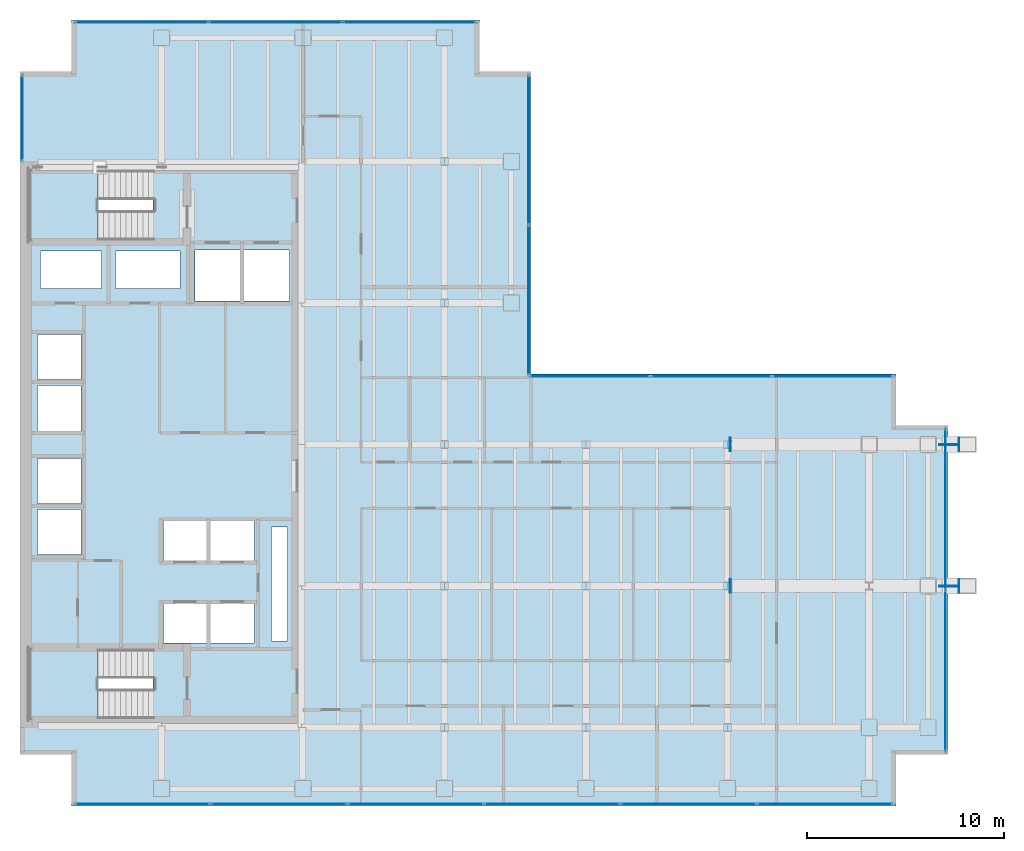
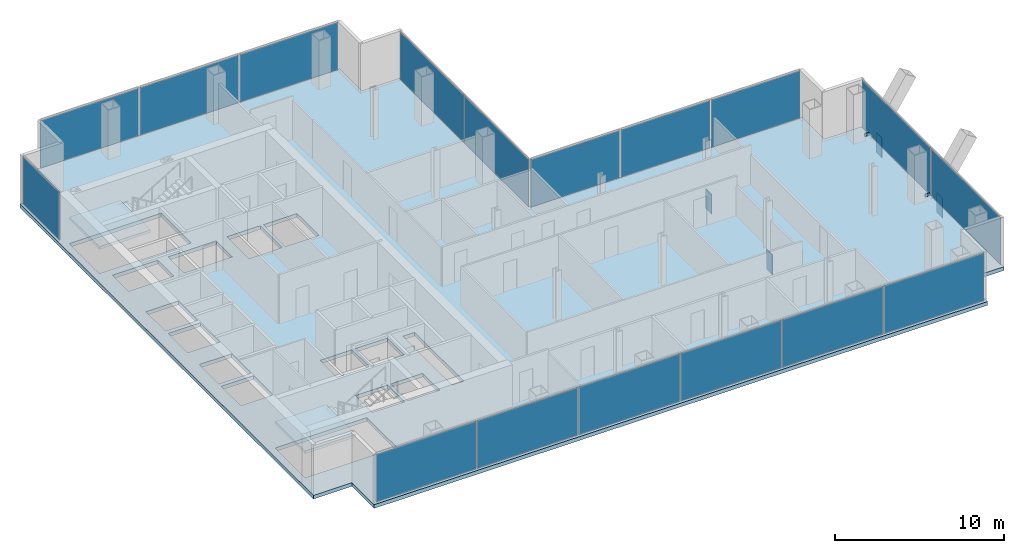
# One storey, part 19 of 23: 23 plates, 3 slabs, 15 openings, 8 elements without a shape of their own.
"""IFC4 building model written with IfcOpenShell, lengths in metres."""

from ifc_helpers import new_model, si_unit, direction, frame, origin, origin_2d, place, context, subcontext, project, spatial, polyline, rectangle, outline, extrude, material, layer, layer_set, type_object, element, aggregate, save


model = new_model("IFC4")

# Units and contexts
model_context = context("Model", 3, precision=1e-05, world=origin(), true_north=direction((0.0, 1.0)))
body_context = subcontext(model_context, "Body", "Model", "MODEL_VIEW")
ifc_project = project(units=[si_unit("LENGTHUNIT", "METRE"), si_unit("AREAUNIT", "SQUARE_METRE"), si_unit("VOLUMEUNIT", "CUBIC_METRE"), si_unit("PLANEANGLEUNIT", "RADIAN"), si_unit("MASSUNIT", "GRAM", prefix="KILO")], contexts=[model_context])

# Site, building, storey
site_placement = place(None, origin())
site = spatial("IfcSite", under=ifc_project, at=site_placement, CompositionType="ELEMENT")
building_placement = place(site_placement, origin())
building = spatial("IfcBuilding", under=site, at=building_placement, Name="Cobrela Telecom Tower", CompositionType="ELEMENT")
storey_placement = place(building_placement, frame((0.0, 0.0, 156.10009765625)))
storey = spatial("IfcBuildingStorey", under=building, at=storey_placement, Name="L39", CompositionType="ELEMENT", Elevation=156.10009765625)

# Curtain wall, plate
ifc_material_1 = material(Name="Anodized Bronze Aluminium 6063-T6", Category="aluminium")
curtain_wall_type = type_object("IfcCurtainWallType", Name="CW-SYS-TEL", PredefinedType="USERDEFINED", material=ifc_material_1)
curtain_wall_1_placement = place(storey_placement, origin())
curtain_wall_1 = element("IfcCurtainWall", 1, at=curtain_wall_1_placement, inside=storey, type_object=curtain_wall_type, Name="L39 Unitised Bronze Curtain Wall 04", ObjectType="UNITISED CURTAIN WALL", PredefinedType="USERDEFINED")
ifc_material_2 = material(Name="Solar-Control Bronze Low-E Glass", Category="glass")
ifc_layer_1 = layer(ifc_material_2, 0.035888671875)
ifc_layer_set_1 = layer_set([ifc_layer_1], Name="Solar-Control Bronze Low-E Glass")
plate_type_1 = type_object("IfcPlateType", Name="CW-SYS-TEL-PNL", PredefinedType="CURTAIN_PANEL", material=ifc_layer_set_1)
plate_1_placement = place(storey_placement, frame((0.1201171875, 38.22509765625, 0.06982421875), z_axis=(0.0, 0.0, 1.0), x_axis=(0.0, 1.0, 0.0)))
plate_1 = element("IfcPlate", 2, at=plate_1_placement, type_object=plate_type_1, Name="CW-TEL panel 1.1", PredefinedType="CURTAIN_PANEL", context=body_context, shape_type="SweptSolid", body=[
    extrude(rectangle(XDim=4.300048828125, YDim=0.035888671875, at=origin_2d()), origin(), (0.0, 0.0, 1.0), 3.43994140625),
])
aggregate(curtain_wall_1, [plate_1])

# Curtain wall, plates
curtain_wall_2_placement = place(storey_placement, origin())
curtain_wall_2 = element("IfcCurtainWall", 3, at=curtain_wall_2_placement, inside=storey, type_object=curtain_wall_type, Name="L39 Unitised Bronze Curtain Wall 07", ObjectType="UNITISED CURTAIN WALL", PredefinedType="USERDEFINED")
plate_2_placement = place(storey_placement, frame((6.185302734375, 43.080078125, 0.06982421875), z_axis=(0.0, 0.0, 1.0), x_axis=(1.0, 0.0, 0.0)))
plate_2 = element("IfcPlate", 4, at=plate_2_placement, type_object=plate_type_1, Name="CW-TEL panel 1.1", PredefinedType="CURTAIN_PANEL", context=body_context, shape_type="SweptSolid", body=[
    extrude(rectangle(XDim=6.720947265625, YDim=0.035888671875, at=origin_2d()), origin(), (0.0, 0.0, 1.0), 3.43994140625),
])
plate_3_placement = place(storey_placement, frame((13.0, 43.080078125, 0.06982421875), z_axis=(0.0, 0.0, 1.0), x_axis=(1.0, 0.0, 0.0)))
plate_3 = element("IfcPlate", 5, at=plate_3_placement, type_object=plate_type_1, Name="CW-TEL panel 2.1", PredefinedType="CURTAIN_PANEL", context=body_context, shape_type="SweptSolid", body=[
    extrude(rectangle(XDim=6.75830078125, YDim=0.035888671875, at=origin_2d()), origin(), (0.0, 0.0, 1.0), 3.43994140625),
])
plate_4_placement = place(storey_placement, frame((19.814697265625, 43.080078125, 0.06982421875), z_axis=(0.0, 0.0, 1.0), x_axis=(1.0, 0.0, 0.0)))
plate_4 = element("IfcPlate", 6, at=plate_4_placement, type_object=plate_type_1, Name="CW-TEL panel 3.1", PredefinedType="CURTAIN_PANEL", context=body_context, shape_type="SweptSolid", body=[
    extrude(rectangle(XDim=6.720947265625, YDim=0.035888671875, at=origin_2d()), origin(), (0.0, 0.0, 1.0), 3.43994140625),
])
aggregate(curtain_wall_2, [plate_2, plate_3, plate_4])

curtain_wall_3_placement = place(storey_placement, origin())
curtain_wall_3 = element("IfcCurtainWall", 7, at=curtain_wall_3_placement, inside=storey, type_object=curtain_wall_type, Name="L39 Unitised Bronze Curtain Wall 10", ObjectType="UNITISED CURTAIN WALL", PredefinedType="USERDEFINED")
plate_5_placement = place(storey_placement, frame((25.8798828125, 36.5888671875, 0.06982421875), z_axis=(0.0, 0.0, 1.0), x_axis=(0.0, -1.0, 0.0)))
plate_5 = element("IfcPlate", 8, at=plate_5_placement, type_object=plate_type_1, Name="CW-TEL panel 1.1", PredefinedType="CURTAIN_PANEL", context=body_context, shape_type="SweptSolid", body=[
    extrude(rectangle(XDim=7.572509765625, YDim=0.035888671875, at=origin_2d()), origin(), (0.0, 0.0, 1.0), 3.43994140625),
])
plate_6_placement = place(storey_placement, frame((25.8798828125, 28.941162109375, 0.06982421875), z_axis=(0.0, 0.0, 1.0), x_axis=(0.0, -1.0, 0.0)))
plate_6 = element("IfcPlate", 9, at=plate_6_placement, type_object=plate_type_1, Name="CW-TEL panel 2.1", PredefinedType="CURTAIN_PANEL", context=body_context, shape_type="SweptSolid", body=[
    extrude(rectangle(XDim=7.572509765625, YDim=0.035888671875, at=origin_2d()), origin(), (0.0, 0.0, 1.0), 3.43994140625),
])
aggregate(curtain_wall_3, [plate_5, plate_6])

curtain_wall_4_placement = place(storey_placement, origin())
curtain_wall_4 = element("IfcCurtainWall", 10, at=curtain_wall_4_placement, inside=storey, type_object=curtain_wall_type, Name="L39 Unitised Bronze Curtain Wall 11", ObjectType="UNITISED CURTAIN WALL", PredefinedType="USERDEFINED")
plate_7_placement = place(storey_placement, frame((28.99365234375, 25.080078125, 0.06982421875), z_axis=(0.0, 0.0, 1.0), x_axis=(1.0, 0.0, 0.0)))
plate_7 = element("IfcPlate", 11, at=plate_7_placement, type_object=plate_type_1, Name="CW-TEL panel 1.1", PredefinedType="CURTAIN_PANEL", context=body_context, shape_type="SweptSolid", body=[
    extrude(rectangle(XDim=6.077392578125, YDim=0.035888671875, at=origin_2d()), origin(), (0.0, 0.0, 1.0), 3.43994140625),
])
plate_8_placement = place(storey_placement, frame((35.1650390625, 25.080078125, 0.06982421875), z_axis=(0.0, 0.0, 1.0), x_axis=(1.0, 0.0, 0.0)))
plate_8 = element("IfcPlate", 12, at=plate_8_placement, type_object=plate_type_1, Name="CW-TEL panel 2.1", PredefinedType="CURTAIN_PANEL", context=body_context, shape_type="SweptSolid", body=[
    extrude(rectangle(XDim=6.114990234375, YDim=0.035888671875, at=origin_2d()), origin(), (0.0, 0.0, 1.0), 3.43994140625),
])
plate_9_placement = place(storey_placement, frame((41.336181640625, 25.080078125, 0.06982421875), z_axis=(0.0, 0.0, 1.0), x_axis=(1.0, 0.0, 0.0)))
plate_9 = element("IfcPlate", 13, at=plate_9_placement, type_object=plate_type_1, Name="CW-TEL panel 3.1", PredefinedType="CURTAIN_PANEL", context=body_context, shape_type="SweptSolid", body=[
    extrude(rectangle(XDim=6.077392578125, YDim=0.035888671875, at=origin_2d()), origin(), (0.0, 0.0, 1.0), 3.43994140625),
])
aggregate(curtain_wall_4, [plate_7, plate_8, plate_9])

curtain_wall_5_placement = place(storey_placement, origin())
curtain_wall_5 = element("IfcCurtainWall", 14, at=curtain_wall_5_placement, inside=storey, type_object=curtain_wall_type, Name="L39 Unitised Bronze Curtain Wall 14", ObjectType="UNITISED CURTAIN WALL", PredefinedType="USERDEFINED")
plate_10_placement = place(storey_placement, frame((47.080078125, 18.30615234375, 0.06982421875), z_axis=(0.0, 0.0, 1.0), x_axis=(0.0, -1.0, 0.0)))
plate_10 = element("IfcPlate", 15, at=plate_10_placement, type_object=plate_type_1, Name="CW-TEL panel 1.1", PredefinedType="CURTAIN_PANEL", context=body_context, shape_type="SweptSolid", body=[
    extrude(rectangle(XDim=8.137451171875, YDim=0.035888671875, at=origin_2d()), origin(), (0.0, 0.0, 1.0), 3.43994140625),
])
plate_11_placement = place(storey_placement, frame((47.080078125, 10.09375, 0.06982421875), z_axis=(0.0, 0.0, 1.0), x_axis=(0.0, -1.0, 0.0)))
plate_11 = element("IfcPlate", 16, at=plate_11_placement, type_object=plate_type_1, Name="CW-TEL panel 2.1", PredefinedType="CURTAIN_PANEL", context=body_context, shape_type="SweptSolid", body=[
    extrude(rectangle(XDim=8.137451171875, YDim=0.035888671875, at=origin_2d()), origin(), (0.0, 0.0, 1.0), 3.43994140625),
])
aggregate(curtain_wall_5, [plate_10, plate_11])

curtain_wall_6_placement = place(storey_placement, origin())
curtain_wall_6 = element("IfcCurtainWall", 17, at=curtain_wall_6_placement, inside=storey, type_object=curtain_wall_type, Name="L39 Unitised Bronze Curtain Wall 17", ObjectType="UNITISED CURTAIN WALL", PredefinedType="USERDEFINED")
plate_12_placement = place(storey_placement, frame((40.956298828125, 3.320068359375, 0.06982421875), z_axis=(0.0, 0.0, 1.0), x_axis=(-1.0, 0.0, 0.0)))
plate_12 = element("IfcPlate", 18, at=plate_12_placement, type_object=plate_type_1, Name="CW-TEL panel 1.1", PredefinedType="CURTAIN_PANEL", context=body_context, shape_type="SweptSolid", body=[
    extrude(rectangle(XDim=6.83740234375, YDim=0.035888671875, at=origin_2d()), origin(), (0.0, 0.0, 1.0), 3.43994140625),
])
plate_13_placement = place(storey_placement, frame((34.02490234375, 3.320068359375, 0.06982421875), z_axis=(0.0, 0.0, 1.0), x_axis=(-1.0, 0.0, 0.0)))
plate_13 = element("IfcPlate", 19, at=plate_13_placement, type_object=plate_type_1, Name="CW-TEL panel 2.1", PredefinedType="CURTAIN_PANEL", context=body_context, shape_type="SweptSolid", body=[
    extrude(rectangle(XDim=6.875, YDim=0.035888671875, at=origin_2d()), origin(), (0.0, 0.0, 1.0), 3.43994140625),
])
plate_14_placement = place(storey_placement, frame((27.074951171875, 3.320068359375, 0.06982421875), z_axis=(0.0, 0.0, 1.0), x_axis=(-1.0, 0.0, 0.0)))
plate_14 = element("IfcPlate", 20, at=plate_14_placement, type_object=plate_type_1, Name="CW-TEL panel 3.1", PredefinedType="CURTAIN_PANEL", context=body_context, shape_type="SweptSolid", body=[
    extrude(rectangle(XDim=6.875, YDim=0.035888671875, at=origin_2d()), origin(), (0.0, 0.0, 1.0), 3.43994140625),
])
plate_15_placement = place(storey_placement, frame((20.125, 3.320068359375, 0.06982421875), z_axis=(0.0, 0.0, 1.0), x_axis=(-1.0, 0.0, 0.0)))
plate_15 = element("IfcPlate", 21, at=plate_15_placement, type_object=plate_type_1, Name="CW-TEL panel 4.1", PredefinedType="CURTAIN_PANEL", context=body_context, shape_type="SweptSolid", body=[
    extrude(rectangle(XDim=6.875, YDim=0.035888671875, at=origin_2d()), origin(), (0.0, 0.0, 1.0), 3.43994140625),
])
plate_16_placement = place(storey_placement, frame((13.175048828125, 3.320068359375, 0.06982421875), z_axis=(0.0, 0.0, 1.0), x_axis=(-1.0, 0.0, 0.0)))
plate_16 = element("IfcPlate", 22, at=plate_16_placement, type_object=plate_type_1, Name="CW-TEL panel 5.1", PredefinedType="CURTAIN_PANEL", context=body_context, shape_type="SweptSolid", body=[
    extrude(rectangle(XDim=6.875, YDim=0.035888671875, at=origin_2d()), origin(), (0.0, 0.0, 1.0), 3.43994140625),
])
plate_17_placement = place(storey_placement, frame((6.24365234375, 3.320068359375, 0.06982421875), z_axis=(0.0, 0.0, 1.0), x_axis=(-1.0, 0.0, 0.0)))
plate_17 = element("IfcPlate", 23, at=plate_17_placement, type_object=plate_type_1, Name="CW-TEL panel 6.1", PredefinedType="CURTAIN_PANEL", context=body_context, shape_type="SweptSolid", body=[
    extrude(rectangle(XDim=6.83740234375, YDim=0.035888671875, at=origin_2d()), origin(), (0.0, 0.0, 1.0), 3.43994140625),
])
aggregate(curtain_wall_6, [plate_12, plate_13, plate_14, plate_15, plate_16, plate_17])

# Plates
ifc_material_3 = material(Name="Steel ASTM A572 Grade 50", Category="steel")
ifc_layer_2 = layer(ifc_material_3, 0.048095703125)
ifc_layer_set_2 = layer_set([ifc_layer_2], Name="Steel ASTM A572 Grade 50")
plate_type_2 = type_object("IfcPlateType", Name="PLT-NODE-ND4", PredefinedType="USERDEFINED", material=ifc_layer_set_2)
for number, where, z_axis, x_axis, name in (
    (24, (36.1298828125, 14.39990234375, -1.690185546875), (0.0, 0.0, 1.0), (1.0, 0.0, 0.0), "Steel node plate PLT-BM-SP-FOOT-L39-1-C0"),
    (25, (47.77001953125, 14.39990234375, -1.690185546875), (0.0, 0.0, 1.0), (1.0, 0.0, 0.0), "Steel node plate PLT-BM-SP-FOOT-L39-1-C1"),
    (26, (36.1298828125, 21.60009765625, -1.690185546875), (0.0, 0.0, 1.0), (1.0, 0.0, 0.0), "Steel node plate PLT-BM-SP-FOOT-L39-2-C0"),
    (27, (47.77001953125, 21.60009765625, -1.690185546875), (0.0, 0.0, 1.0), (1.0, 0.0, 0.0), "Steel node plate PLT-BM-SP-FOOT-L39-2-C1"),
):
    element("IfcPlate", number, at=place(storey_placement, frame(where, z_axis=z_axis, x_axis=x_axis)), inside=storey, type_object=plate_type_2, Name=name, ObjectType="GUSSET PLATE", PredefinedType="USERDEFINED", context=body_context, shape_type="SweptSolid", body=[
        extrude(rectangle(XDim=0.044921875, YDim=0.68994140625, at=origin_2d()), origin(), (0.0, 0.0, 1.0), 1.43994140625),
    ])
ifc_layer_3 = layer(ifc_material_3, 0.048095703125)
ifc_layer_set_3 = layer_set([ifc_layer_3], Name="Steel ASTM A572 Grade 50")
plate_type_3 = type_object("IfcPlateType", Name="PLT-NODE-ND9", PredefinedType="USERDEFINED", material=ifc_layer_set_3)
for number, where, z_axis, x_axis, name in (
    (28, (47.25, 14.39990234375, -0.75), (0.0, 0.0, 1.0), (1.0, 0.0, 0.0), "Steel node plate PLT-SP-FOOT-1B"),
    (29, (47.25, 21.60009765625, -0.75), (0.0, 0.0, 1.0), (1.0, 0.0, 0.0), "Steel node plate PLT-SP-FOOT-2B"),
):
    element("IfcPlate", number, at=place(storey_placement, frame(where, z_axis=z_axis, x_axis=x_axis)), inside=storey, type_object=plate_type_3, Name=name, ObjectType="GUSSET PLATE", PredefinedType="USERDEFINED", context=body_context, shape_type="SweptSolid", body=[
        extrude(rectangle(XDim=0.9599609375, YDim=0.044921875, at=origin_2d()), origin(), (0.0, 0.0, 1.0), 0.9599609375),
    ])

# Slab, openings
ifc_material_4 = material(Name="Concrete C40/50", Category="concrete")
ifc_layer_4 = layer(ifc_material_4, 0.27001953125)
ifc_layer_set_4 = layer_set([ifc_layer_4], Name="Concrete C40/50")
slab_type_1 = type_object("IfcSlabType", Name="SLAB-FLR-270", PredefinedType="FLOOR", material=ifc_layer_set_4)
slab_1_placement = place(storey_placement, frame((0.0, 0.0, -0.27001953125)))
slab_1 = element("IfcSlab", 30, at=slab_1_placement, inside=storey, type_object=slab_type_1, Name="L39 Structural Floor Slab", PredefinedType="FLOOR", context=body_context, shape_type="SweptSolid", body=[
    extrude(outline(polyline([(2.6298828125, 3.199951171875), (44.570068359375, 3.199951171875), (44.570068359375, 5.830078125), (47.199951171875, 5.830078125), (47.199951171875, 22.570068359375), (44.570068359375, 22.570068359375), (44.570068359375, 25.199951171875), (26.0, 25.199951171875), (26.0, 40.570068359375), (23.3701171875, 40.570068359375), (23.3701171875, 43.199951171875), (2.6298828125, 43.199951171875), (2.6298828125, 40.570068359375), (0.0, 40.570068359375), (0.0, 5.830078125), (2.6298828125, 5.830078125), (2.6298828125, 3.199951171875)])), origin(), (0.0, 0.0, 1.0), 0.27001953125),
])
opening_1_placement = place(slab_1_placement, frame((0.0, 0.0, -0.02001953125)))
element("IfcOpeningElement", 31, at=opening_1_placement, cuts=slab_1, Name="Slab Shaft Opening SLAB-L39-MAIN.1", PredefinedType="OPENING", context=body_context, shape_type="SweptSolid", body=[
    extrude(outline(polyline([(8.89990234375, 28.89990234375), (11.199951171875, 28.89990234375), (11.199951171875, 31.5), (8.89990234375, 31.5), (8.89990234375, 28.89990234375)])), origin(), (0.0, 0.0, 1.0), 0.31005859375),
])
opening_2_placement = place(slab_1_placement, frame((0.0, 0.0, -0.02001953125)))
element("IfcOpeningElement", 32, at=opening_2_placement, cuts=slab_1, Name="Slab Shaft Opening SLAB-L39-MAIN.2", PredefinedType="OPENING", context=body_context, shape_type="SweptSolid", body=[
    extrude(outline(polyline([(11.39990234375, 28.89990234375), (13.699951171875, 28.89990234375), (13.699951171875, 31.5), (11.39990234375, 31.5), (11.39990234375, 28.89990234375)])), origin(), (0.0, 0.0, 1.0), 0.31005859375),
])
opening_3_placement = place(slab_1_placement, frame((0.0, 0.0, -0.02001953125)))
element("IfcOpeningElement", 33, at=opening_3_placement, cuts=slab_1, Name="Slab Shaft Opening SLAB-L39-MAIN.3", PredefinedType="OPENING", context=body_context, shape_type="SweptSolid", body=[
    extrude(outline(polyline([(7.300048828125, 15.699951171875), (9.5, 15.699951171875), (9.5, 17.699951171875), (7.300048828125, 17.699951171875), (7.300048828125, 15.699951171875)])), origin(), (0.0, 0.0, 1.0), 0.31005859375),
])
opening_4_placement = place(slab_1_placement, frame((0.0, 0.0, -0.02001953125)))
element("IfcOpeningElement", 34, at=opening_4_placement, cuts=slab_1, Name="Slab Shaft Opening SLAB-L39-MAIN.4", PredefinedType="OPENING", context=body_context, shape_type="SweptSolid", body=[
    extrude(outline(polyline([(9.699951171875, 15.699951171875), (11.89990234375, 15.699951171875), (11.89990234375, 17.699951171875), (9.699951171875, 17.699951171875), (9.699951171875, 15.699951171875)])), origin(), (0.0, 0.0, 1.0), 0.31005859375),
])
opening_5_placement = place(slab_1_placement, frame((0.0, 0.0, -0.02001953125)))
element("IfcOpeningElement", 35, at=opening_5_placement, cuts=slab_1, Name="Slab Shaft Opening SLAB-L39-MAIN.5", PredefinedType="OPENING", context=body_context, shape_type="SweptSolid", body=[
    extrude(outline(polyline([(7.300048828125, 11.5), (9.5, 11.5), (9.5, 13.5), (7.300048828125, 13.5), (7.300048828125, 11.5)])), origin(), (0.0, 0.0, 1.0), 0.31005859375),
])
opening_6_placement = place(slab_1_placement, frame((0.0, 0.0, -0.02001953125)))
element("IfcOpeningElement", 36, at=opening_6_placement, cuts=slab_1, Name="Slab Shaft Opening SLAB-L39-MAIN.6", PredefinedType="OPENING", context=body_context, shape_type="SweptSolid", body=[
    extrude(outline(polyline([(9.699951171875, 11.5), (11.89990234375, 11.5), (11.89990234375, 13.5), (9.699951171875, 13.5), (9.699951171875, 11.5)])), origin(), (0.0, 0.0, 1.0), 0.31005859375),
])
opening_7_placement = place(slab_1_placement, frame((0.0, 0.0, -0.02001953125)))
element("IfcOpeningElement", 37, at=opening_7_placement, cuts=slab_1, Name="Slab Shaft Opening SLAB-L39-MAIN.7", PredefinedType="OPENING", context=body_context, shape_type="SweptSolid", body=[
    extrude(outline(polyline([(0.89990234375, 16.0), (3.10009765625, 16.0), (3.10009765625, 18.300048828125), (0.89990234375, 18.300048828125), (0.89990234375, 16.0)])), origin(), (0.0, 0.0, 1.0), 0.31005859375),
])
opening_8_placement = place(slab_1_placement, frame((0.0, 0.0, -0.02001953125)))
element("IfcOpeningElement", 38, at=opening_8_placement, cuts=slab_1, Name="Slab Shaft Opening SLAB-L39-MAIN.8", PredefinedType="OPENING", context=body_context, shape_type="SweptSolid", body=[
    extrude(outline(polyline([(0.89990234375, 18.60009765625), (3.10009765625, 18.60009765625), (3.10009765625, 20.89990234375), (0.89990234375, 20.89990234375), (0.89990234375, 18.60009765625)])), origin(), (0.0, 0.0, 1.0), 0.31005859375),
])
opening_9_placement = place(slab_1_placement, frame((0.0, 0.0, -0.02001953125)))
element("IfcOpeningElement", 39, at=opening_9_placement, cuts=slab_1, Name="Slab Shaft Opening SLAB-L39-MAIN.9", PredefinedType="OPENING", context=body_context, shape_type="SweptSolid", body=[
    extrude(outline(polyline([(0.89990234375, 22.300048828125), (3.10009765625, 22.300048828125), (3.10009765625, 24.60009765625), (0.89990234375, 24.60009765625), (0.89990234375, 22.300048828125)])), origin(), (0.0, 0.0, 1.0), 0.31005859375),
])
opening_10_placement = place(slab_1_placement, frame((0.0, 0.0, -0.02001953125)))
element("IfcOpeningElement", 40, at=opening_10_placement, cuts=slab_1, Name="Slab Shaft Opening SLAB-L39-MAIN.10", PredefinedType="OPENING", context=body_context, shape_type="SweptSolid", body=[
    extrude(outline(polyline([(0.89990234375, 24.89990234375), (3.10009765625, 24.89990234375), (3.10009765625, 27.199951171875), (0.89990234375, 27.199951171875), (0.89990234375, 24.89990234375)])), origin(), (0.0, 0.0, 1.0), 0.31005859375),
])
opening_11_placement = place(slab_1_placement, frame((0.0, 0.0, -0.02001953125)))
element("IfcOpeningElement", 41, at=opening_11_placement, cuts=slab_1, Name="Slab Shaft Opening SLAB-L39-MAIN.11", PredefinedType="OPENING", context=body_context, shape_type="SweptSolid", body=[
    extrude(outline(polyline([(1.050048828125, 29.550048828125), (4.14990234375, 29.550048828125), (4.14990234375, 31.449951171875), (1.050048828125, 31.449951171875), (1.050048828125, 29.550048828125)])), origin(), (0.0, 0.0, 1.0), 0.31005859375),
])
opening_12_placement = place(slab_1_placement, frame((0.0, 0.0, -0.02001953125)))
element("IfcOpeningElement", 42, at=opening_12_placement, cuts=slab_1, Name="Slab Shaft Opening SLAB-L39-MAIN.12", PredefinedType="OPENING", context=body_context, shape_type="SweptSolid", body=[
    extrude(outline(polyline([(4.85009765625, 29.550048828125), (8.14990234375, 29.550048828125), (8.14990234375, 31.449951171875), (4.85009765625, 31.449951171875), (4.85009765625, 29.550048828125)])), origin(), (0.0, 0.0, 1.0), 0.31005859375),
])
opening_13_placement = place(slab_1_placement, frame((0.0, 0.0, -0.02001953125)))
element("IfcOpeningElement", 43, at=opening_13_placement, cuts=slab_1, Name="Slab Shaft Opening SLAB-L39-MAIN.13", PredefinedType="OPENING", context=body_context, shape_type="SweptSolid", body=[
    extrude(outline(polyline([(12.800048828125, 11.60009765625), (13.60009765625, 11.60009765625), (13.60009765625, 17.39990234375), (12.800048828125, 17.39990234375), (12.800048828125, 11.60009765625)])), origin(), (0.0, 0.0, 1.0), 0.31005859375),
])
opening_14_placement = place(slab_1_placement, frame((0.0, 0.0, -0.02001953125)))
element("IfcOpeningElement", 44, at=opening_14_placement, cuts=slab_1, Name="Slab Shaft Opening SLAB-L39-MAIN.14", PredefinedType="OPENING", context=body_context, shape_type="SweptSolid", body=[
    extrude(outline(polyline([(6.7548828125, 35.550048828125), (0.47998046875, 35.550048828125), (0.47998046875, 32.0), (6.7548828125, 32.0), (6.7548828125, 35.550048828125)])), origin(), (0.0, 0.0, 1.0), 0.31005859375),
])
opening_15_placement = place(slab_1_placement, frame((0.0, 0.0, -0.02001953125)))
element("IfcOpeningElement", 45, at=opening_15_placement, cuts=slab_1, Name="Slab Shaft Opening SLAB-L39-MAIN.15", PredefinedType="OPENING", context=body_context, shape_type="SweptSolid", body=[
    extrude(outline(polyline([(6.7548828125, 11.199951171875), (0.47998046875, 11.199951171875), (0.47998046875, 7.64990234375), (6.7548828125, 7.64990234375), (6.7548828125, 11.199951171875)])), origin(), (0.0, 0.0, 1.0), 0.31005859375),
])

# Stair, slab
stair_type = type_object("IfcStairType", Name="STAIR-CORE", PredefinedType="HALF_TURN_STAIR", material=ifc_material_4)
stair_1_placement = place(storey_placement, origin())
stair_1 = element("IfcStair", 46, at=stair_1_placement, inside=storey, type_object=stair_type, Name="L39 Smokeproof Exit Stair ST1", PredefinedType="HALF_TURN_STAIR")
ifc_layer_5 = layer(ifc_material_4, 0.199951171875)
ifc_layer_set_5 = layer_set([ifc_layer_5], Name="Concrete C40/50")
slab_type_2 = type_object("IfcSlabType", Name="SLAB-LAND-200", PredefinedType="LANDING", material=ifc_layer_set_5)
slab_2_placement = place(storey_placement, frame((0.0, 0.0, 1.724853515625)))
slab_2 = element("IfcSlab", 47, at=slab_2_placement, type_object=slab_type_2, Name="ST1 landing 1", PredefinedType="LANDING", context=body_context, shape_type="SweptSolid", body=[
    extrude(outline(polyline([(3.969970703125, 35.550048828125), (0.47998046875, 35.550048828125), (0.47998046875, 32.0), (3.969970703125, 32.0), (3.969970703125, 35.550048828125)])), origin(), (0.0, 0.0, 1.0), 0.199951171875),
])
aggregate(stair_1, [slab_2])

stair_2_placement = place(storey_placement, origin())
stair_2 = element("IfcStair", 48, at=stair_2_placement, inside=storey, type_object=stair_type, Name="L39 Smokeproof Exit Stair ST2", PredefinedType="HALF_TURN_STAIR")
slab_3_placement = place(storey_placement, frame((0.0, 0.0, 1.724853515625)))
slab_3 = element("IfcSlab", 49, at=slab_3_placement, type_object=slab_type_2, Name="ST2 landing 1", PredefinedType="LANDING", context=body_context, shape_type="SweptSolid", body=[
    extrude(outline(polyline([(3.969970703125, 11.199951171875), (0.47998046875, 11.199951171875), (0.47998046875, 7.64990234375), (3.969970703125, 7.64990234375), (3.969970703125, 11.199951171875)])), origin(), (0.0, 0.0, 1.0), 0.199951171875),
])
aggregate(stair_2, [slab_3])

save(model, "model.ifc")
